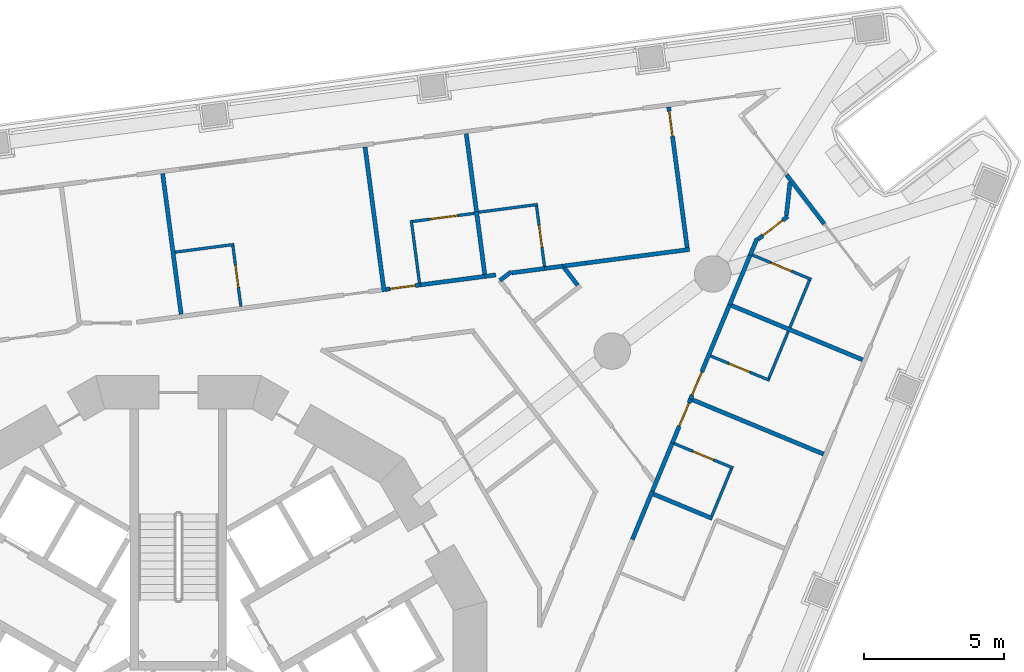
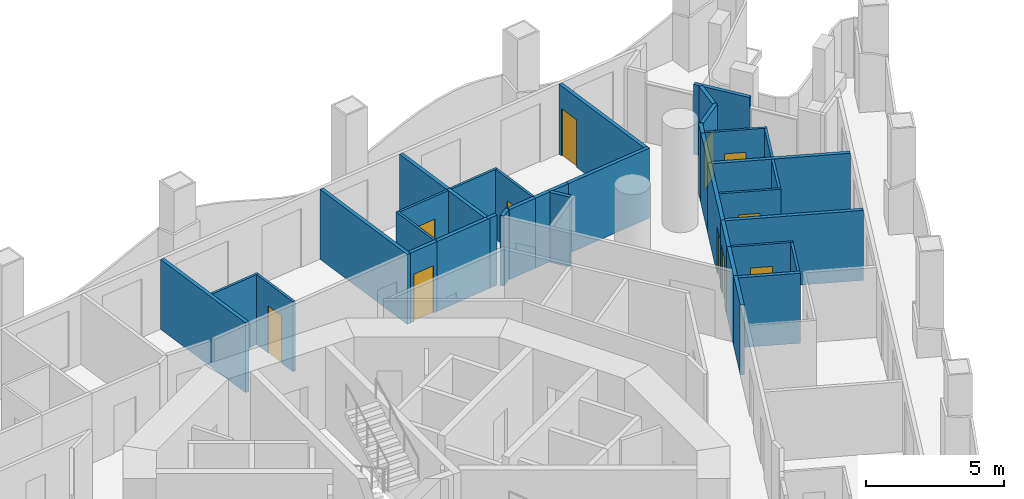
# One storey, part 10 of 19: 38 walls, 11 doors, 11 openings.
"""IFC4 building model written with IfcOpenShell, lengths in metres."""

import ifcopenshell
import ifcopenshell.guid

model = None  # the IFC model being written
_history = None  # IfcOwnerHistory: only IFC2X3 demands one
_inside = {}  # id of a spatial element -> (the spatial element, [elements in it])
_under = {}  # id of a project, library or spatial element -> (it, [spatial elements below it])
_declared = {}  # id of a project -> (the project, [libraries it declares])
_typed = {}  # id of a type object -> (the type object, [elements of that type])
_made_of = {}  # id of a material, layer set ... -> (it, [elements and type objects made of it])


def new_model(schema):
    """Start an empty IFC model of exactly this schema.

    Asked for "IFC4X3", IfcOpenShell would pick the latest addendum, in which some entities
    have other attributes; the version numbers below select the first issue.
    IFC2X3 requires an IfcOwnerHistory on every rooted entity: one is made here for all.
    """
    global model, _history
    if schema == "IFC4X3":
        model = ifcopenshell.file(schema_version=(4, 3, 0, 0))
    else:
        model = ifcopenshell.file(schema=schema)
    _inside.clear()
    _under.clear()
    _declared.clear()
    _typed.clear()
    _made_of.clear()
    _history = None
    if model.schema == "IFC2X3":
        org = make("IfcOrganization", Name="unknown")
        user = make(
            "IfcPersonAndOrganization",
            ThePerson=make("IfcPerson", FamilyName="unknown"),
            TheOrganization=org,
        )
        app = make(
            "IfcApplication",
            ApplicationDeveloper=org,
            Version="unknown",
            ApplicationFullName="unknown",
            ApplicationIdentifier="unknown",
        )
        _history = make(
            "IfcOwnerHistory",
            OwningUser=user,
            OwningApplication=app,
            ChangeAction="ADDED",
            CreationDate=0,
        )
    return model


def make(cls, **values):
    """One entity of the class cls with the attributes given. An attribute that is None is left unset."""
    return model.create_entity(
        cls, **{name: value for name, value in values.items() if value is not None}
    )


def rooted(cls, **values):
    """An entity with a GlobalId (a new one), such as an element, a storey or a relation."""
    return make(cls, GlobalId=ifcopenshell.guid.new(), OwnerHistory=_history, **values)


def si_unit(unit_type, name, prefix=None):
    """IfcSIUnit, for example si_unit("LENGTHUNIT", "METRE", prefix="MILLI")."""
    return make("IfcSIUnit", UnitType=unit_type, Prefix=prefix, Name=name)


def assignment(units):
    """IfcUnitAssignment: the units of a project."""
    return None if units is None else make("IfcUnitAssignment", Units=units)


def point(xyz):
    """IfcCartesianPoint."""
    return None if xyz is None else make("IfcCartesianPoint", Coordinates=xyz)


def direction(xyz):
    """IfcDirection."""
    return None if xyz is None else make("IfcDirection", DirectionRatios=xyz)


def frame(location, z_axis=None, x_axis=None):
    """IfcAxis2Placement3D, a coordinate frame: its origin and axes. An axis left out is left unset."""
    return make(
        "IfcAxis2Placement3D",
        Location=point(location),
        Axis=direction(z_axis),
        RefDirection=direction(x_axis),
    )


def frame_2d(location, x_axis=None):
    """IfcAxis2Placement2D, a coordinate frame in the plane: its origin and x axis."""
    return make(
        "IfcAxis2Placement2D", Location=point(location), RefDirection=direction(x_axis)
    )


def origin():
    """The frame at (0, 0, 0) with its axes left unset."""
    return frame((0.0, 0.0, 0.0))


def place(relative_to, where):
    """IfcLocalPlacement: puts the frame where relative to a parent placement (None: the world)."""
    return make(
        "IfcLocalPlacement", PlacementRelTo=relative_to, RelativePlacement=where
    )


def context(
    kind, dimensions, precision=None, world=None, true_north=None, identifier=None
):
    """IfcGeometricRepresentationContext, for example the 3D "Model" context."""
    return make(
        "IfcGeometricRepresentationContext",
        ContextIdentifier=identifier,
        ContextType=kind,
        CoordinateSpaceDimension=dimensions,
        Precision=precision,
        WorldCoordinateSystem=world,
        TrueNorth=true_north,
    )


def subcontext(parent, identifier, kind, view, scale=None):
    """IfcGeometricRepresentationSubContext, for example "Body" below "Model"."""
    return make(
        "IfcGeometricRepresentationSubContext",
        ContextIdentifier=identifier,
        ContextType=kind,
        ParentContext=parent,
        TargetScale=scale,
        TargetView=view,
    )


def project(units=None, contexts=None):
    """IfcProject with its units and contexts."""
    return rooted(
        "IfcProject",
        Name="project",
        RepresentationContexts=contexts,
        UnitsInContext=assignment(units),
    )


def spatial(cls, under=None, at=None, **own):
    """A site, building, storey or space (cls), placed at a placement, below another one or the project."""
    s = rooted(cls, ObjectPlacement=at, **own)
    if under is not None:
        _under.setdefault(under.id(), (under, []))[1].append(s)
    return s


def polyline(points):
    """IfcPolyline through the points."""
    return make("IfcPolyline", Points=[point(p) for p in points])


def profile(cls, at=None, kind="AREA", **sizes):
    """A parametric profile (cls). Its sizes go by their IFC names, for example OverallWidth=200.0."""
    return make(cls, ProfileType=kind, Position=at, **sizes)


def rectangle(**sizes):
    """IfcRectangleProfileDef."""
    return profile("IfcRectangleProfileDef", **sizes)


def outline(outer, holes=None, kind="AREA"):
    """IfcArbitraryClosedProfileDef: a profile drawn as a closed curve; with holes, ...WithVoids."""
    if holes is None:
        return make("IfcArbitraryClosedProfileDef", ProfileType=kind, OuterCurve=outer)
    return make(
        "IfcArbitraryProfileDefWithVoids",
        ProfileType=kind,
        OuterCurve=outer,
        InnerCurves=holes,
    )


def extrude(swept, where, along, depth):
    """IfcExtrudedAreaSolid: the profile swept, set in the frame where, extruded along a direction by depth."""
    return make(
        "IfcExtrudedAreaSolid",
        SweptArea=swept,
        Position=where,
        ExtrudedDirection=direction(along),
        Depth=depth,
    )


def shape(context_of_items, identifier, shape_type, items):
    """IfcShapeRepresentation: the items that make up one representation, for example the "Body"."""
    return make(
        "IfcShapeRepresentation",
        ContextOfItems=context_of_items,
        RepresentationIdentifier=identifier,
        RepresentationType=shape_type,
        Items=items,
    )


def material(Name=None, Category=None):
    """IfcMaterial."""
    return make("IfcMaterial", Name=Name, Category=Category)


def layer(
    of_material, thickness, ventilated=None, Name=None, Category=None, Priority=None
):
    """IfcMaterialLayer: one layer of a wall or slab, of a material (None: an air gap)."""
    return make(
        "IfcMaterialLayer",
        Material=of_material,
        LayerThickness=thickness,
        IsVentilated=ventilated,
        Name=Name,
        Category=Category,
        Priority=Priority,
    )


def layer_set(layers, Name=None):
    """IfcMaterialLayerSet."""
    return make("IfcMaterialLayerSet", MaterialLayers=layers, LayerSetName=Name)


def made_of(thing, what):
    """Note that an element or type object is made of a material, layer set ...; save() writes the relation."""
    if what is not None:
        _made_of.setdefault(what.id(), (what, []))[1].append(thing)
    return thing


def type_object(cls, material=None, **own):
    """A type object (cls), such as IfcWallType, which elements share."""
    return made_of(rooted(cls, **own), material)


def element(
    cls,
    number,
    at=None,
    inside=None,
    cuts=None,
    type_object=None,
    material=None,
    context=None,
    identifier="Body",
    shape_type=None,
    held_by="IfcProductDefinitionShape",
    body=None,
    shapes=None,
    **own,
):
    """One element of the class cls, such as IfcWall. Its Tag is "e" and its number.

    at: its placement. inside: the storey or other place that contains it. cuts: it is an
    opening in that element (IfcRelVoidsElement). A single representation is given by context,
    identifier, shape_type and body (its items); several are given by shapes. held_by: the class
    of the entity that holds the representations. save() writes the other relations.
    """
    e = rooted(cls, Tag="e%d" % number, ObjectPlacement=at, **own)
    if body is not None:
        shapes = [shape(context, identifier, shape_type, body)]
    if shapes is not None:
        e.Representation = make(held_by, Representations=shapes)
    if inside is not None:
        _inside.setdefault(inside.id(), (inside, []))[1].append(e)
    if cuts is not None:
        rooted(
            "IfcRelVoidsElement", RelatingBuildingElement=cuts, RelatedOpeningElement=e
        )
    if type_object is not None:
        _typed.setdefault(type_object.id(), (type_object, []))[1].append(e)
    return made_of(e, material)


def fill(opening, filler):
    """IfcRelFillsElement: the door or window that sits in an opening."""
    return rooted(
        "IfcRelFillsElement",
        RelatingOpeningElement=opening,
        RelatedBuildingElement=filler,
    )


def aggregate(whole, parts):
    """IfcRelAggregates: a whole, such as a stair, and the parts it consists of."""
    return rooted("IfcRelAggregates", RelatingObject=whole, RelatedObjects=parts)


def save(model, path):
    """Write the relations noted so far, then the file.

    IfcRelAggregates (storeys below a building ...), IfcRelContainedInSpatialStructure (elements
    in a storey), IfcRelDefinesByType, IfcRelAssociatesMaterial and IfcRelDeclares: one each for
    every whole, place, type object, material and project.
    """
    for whole, parts in _under.values():
        aggregate(whole, parts)
    for where, things in _inside.values():
        rooted(
            "IfcRelContainedInSpatialStructure",
            RelatedElements=things,
            RelatingStructure=where,
        )
    for kind, things in _typed.values():
        rooted("IfcRelDefinesByType", RelatedObjects=things, RelatingType=kind)
    for what, things in _made_of.values():
        rooted("IfcRelAssociatesMaterial", RelatedObjects=things, RelatingMaterial=what)
    for by, libraries in _declared.values():
        rooted("IfcRelDeclares", RelatingContext=by, RelatedDefinitions=libraries)
    model.write(path)


model = new_model("IFC4")

# Units and contexts
model_context = context("Model", 3, precision=1e-05, world=origin(), true_north=direction((0.0, 1.0)))
body_context = subcontext(model_context, "Body", "Model", "MODEL_VIEW")
ifc_project = project(units=[si_unit("LENGTHUNIT", "METRE"), si_unit("AREAUNIT", "SQUARE_METRE"), si_unit("VOLUMEUNIT", "CUBIC_METRE"), si_unit("PLANEANGLEUNIT", "RADIAN"), si_unit("MASSUNIT", "GRAM", prefix="KILO")], contexts=[model_context])

# Site, building, storey
site_placement = place(None, origin())
site = spatial("IfcSite", under=ifc_project, at=site_placement, CompositionType="ELEMENT")
building_placement = place(site_placement, origin())
building = spatial("IfcBuilding", under=site, at=building_placement, Name="Trine Commons Tower", CompositionType="ELEMENT")
storey_placement = place(building_placement, frame((0.0, 0.0, 79.199951171875)))
storey = spatial("IfcBuildingStorey", under=building, at=storey_placement, Name="L19", CompositionType="ELEMENT", Elevation=79.199951171875)

# Walls
ifc_material_1 = material(Name="Aluminium-framed insulated wall panel", Category="aluminium")
ifc_layer_1 = layer(ifc_material_1, 0.14990234375)
ifc_layer_set_1 = layer_set([ifc_layer_1], Name="Aluminium-framed insulated wall panel")
wall_type_1 = type_object("IfcWallType", Name="Glazed frame wall 150, EI 60", PredefinedType="SOLIDWALL", material=ifc_layer_set_1)
wall_1_placement = place(storey_placement, frame((101.71240234375, 80.673095703125, 0.0), z_axis=(0.0, 0.0, 1.0), x_axis=(0.608664482268, -0.793427720732, 0.0)))
element("IfcWall", 1, at=wall_1_placement, inside=storey, type_object=wall_type_1, Name="Glazed frame wall P2.3", PredefinedType="SOLIDWALL", context=body_context, shape_type="SweptSolid", body=[
    extrude(outline(polyline([(0.0, -0.074951171875), (2.199951171875, -0.074951171875), (2.199951171875, 0.074951171875), (0.0, 0.074951171875), (0.0, -0.074951171875)])), origin(), (0.0, 0.0, 1.0), 3.10009765625),
])
ifc_material_2 = material(Name="Gypsum plasterboard on steel stud", Category="steel")
ifc_layer_2 = layer(ifc_material_2, 0.14990234375)
ifc_layer_set_2 = layer_set([ifc_layer_2], Name="Gypsum plasterboard on steel stud")
wall_type_2 = type_object("IfcWallType", Name="Unit and corridor wall 150 mm, EI 60", PredefinedType="PARTITIONING", material=ifc_layer_set_2)
wall_2_placement = place(storey_placement, frame((79.439208984375, 80.71923828125, 0.0), z_axis=(0.0, 0.0, 1.0), x_axis=(0.130505643681, -0.991447566424, 0.0)))
element("IfcWall", 2, at=wall_2_placement, inside=storey, type_object=wall_type_2, Name="Partition 077", PredefinedType="PARTITIONING", context=body_context, shape_type="SweptSolid", body=[
    extrude(rectangle(XDim=5.06396484375, YDim=0.14990234375, at=frame_2d((2.531982421875, 0.0))), origin(), (0.0, 0.0, 1.0), 3.10009765625),
])
wall_3_placement = place(storey_placement, frame((86.664306640625, 81.67041015625, 0.0), z_axis=(0.0, 0.0, 1.0), x_axis=(0.130516294002, -0.991446164449, 0.0)))
element("IfcWall", 3, at=wall_3_placement, inside=storey, type_object=wall_type_2, Name="Partition 101", PredefinedType="PARTITIONING", context=body_context, shape_type="SweptSolid", body=[
    extrude(rectangle(XDim=5.21337890625, YDim=0.14990234375, at=frame_2d((2.606689453125, 0.0))), origin(), (0.0, 0.0, 1.0), 3.10009765625),
])

# Wall, opening, door
wall_4_placement = place(storey_placement, frame((87.405517578125, 76.584716796875, 0.0), z_axis=(0.0, 0.0, 1.0), x_axis=(0.99140610916, 0.130820207616, 0.0)))
wall_4 = element("IfcWall", 4, at=wall_4_placement, inside=storey, type_object=wall_type_2, Name="Partition 105", PredefinedType="PARTITIONING", context=body_context, shape_type="SweptSolid", body=[
    extrude(rectangle(XDim=1.22607421875, YDim=0.14990234375, at=frame_2d((0.613037109375, 0.0))), origin(), (0.0, 0.0, 1.0), 3.10009765625),
])
opening_1_placement = place(wall_4_placement, frame((0.160888671875, 0.0, 0.0)))
opening_1 = element("IfcOpeningElement", 5, at=opening_1_placement, cuts=wall_4, Name="Opening D-2C13", PredefinedType="OPENING", context=body_context, shape_type="SweptSolid", body=[
    extrude(rectangle(XDim=0.89990234375, YDim=2.10009765625, at=frame_2d((0.449951171875, 1.050048828125))), frame((0.0, 0.0849609375, 0.0), z_axis=(0.0, -1.0, 0.0), x_axis=(1.0, 0.0, 0.0)), (0.0, 0.0, 1.0), 0.169921875),
])
ifc_material_3 = material(Name="Timber fire door set", Category="wood")
door_type_1 = type_object("IfcDoorType", Name="Bedroom door 900 x 2100, FD30S", OperationType="NOTDEFINED", PredefinedType="DOOR", material=ifc_material_3)
door_1_placement = place(opening_1_placement, origin())
door_1 = element("IfcDoor", 6, at=door_1_placement, inside=storey, type_object=door_type_1, Name="Door D-2C13", OperationType="SINGLE_SWING_LEFT", OverallHeight=2.10009765625, OverallWidth=0.89990234375, PredefinedType="DOOR", context=body_context, shape_type="SweptSolid", body=[
    extrude(rectangle(XDim=0.89990234375, YDim=2.10009765625, at=frame_2d((0.449951171875, 1.050048828125))), frame((0.0, 0.02490234375, 0.0), z_axis=(0.0, -1.0, 0.0), x_axis=(1.0, 0.0, 0.0)), (0.0, 0.0, 1.0), 0.050048828125),
])
fill(opening_1, door_1)

# Walls
wall_5_placement = place(storey_placement, frame((88.613037109375, 76.743896484375, 0.0), z_axis=(0.0, 0.0, 1.0), x_axis=(0.991430030874, 0.13063879164, 0.0)))
element("IfcWall", 7, at=wall_5_placement, inside=storey, type_object=wall_type_2, Name="Partition 111", PredefinedType="PARTITIONING", context=body_context, shape_type="SweptSolid", body=[
    extrude(rectangle(XDim=2.43310546875, YDim=0.14990234375, at=frame_2d((1.216552734375, 0.0))), origin(), (0.0, 0.0, 1.0), 3.10009765625),
])
wall_6_placement = place(storey_placement, frame((90.276123046875, 82.146240234375, 0.0), z_axis=(0.0, 0.0, 1.0), x_axis=(0.130770959069, -0.991412606468, 0.0)))
element("IfcWall", 8, at=wall_6_placement, inside=storey, type_object=wall_type_2, Name="Partition 117", PredefinedType="PARTITIONING", context=body_context, shape_type="SweptSolid", body=[
    extrude(rectangle(XDim=2.893798828125, YDim=0.14990234375, at=frame_2d((1.44677734375, 0.0))), origin(), (0.0, 0.0, 1.0), 3.10009765625),
])
wall_7_placement = place(storey_placement, frame((90.6435546875, 79.361572265625, 0.0), z_axis=(0.0, 0.0, 1.0), x_axis=(0.130227687499, -0.991484114552, 0.0)))
element("IfcWall", 9, at=wall_7_placement, inside=storey, type_object=wall_type_2, Name="Partition 121", PredefinedType="PARTITIONING", context=body_context, shape_type="SweptSolid", body=[
    extrude(rectangle(XDim=2.25537109375, YDim=0.14990234375, at=frame_2d((1.127685546875, 0.0))), origin(), (0.0, 0.0, 1.0), 3.10009765625),
])
wall_8_placement = place(storey_placement, frame((90.935302734375, 77.050048828125, 0.0), z_axis=(0.0, 0.0, 1.0), x_axis=(0.991508240123, 0.130043876322, 0.0)))
element("IfcWall", 10, at=wall_8_placement, inside=storey, type_object=wall_type_2, Name="Partition 125", PredefinedType="PARTITIONING", context=body_context, shape_type="SweptSolid", body=[
    extrude(rectangle(XDim=0.39990234375, YDim=0.14990234375, at=frame_2d((0.199951171875, 0.0))), origin(), (0.0, 0.0, 1.0), 3.10009765625),
])
wall_9_placement = place(storey_placement, frame((91.47607421875, 76.903076171875, 0.0), z_axis=(0.0, 0.0, 1.0), x_axis=(0.794371473226, 0.607432269908, 0.0)))
element("IfcWall", 11, at=wall_9_placement, inside=storey, type_object=wall_type_2, Name="Partition 129", PredefinedType="PARTITIONING", context=body_context, shape_type="SweptSolid", body=[
    extrude(rectangle(XDim=0.508056640625, YDim=0.14990234375, at=frame_2d((0.25390625, 0.0))), origin(), (0.0, 0.0, 1.0), 3.10009765625),
])
wall_10_placement = place(storey_placement, frame((91.894287109375, 77.17578125, 0.0), z_axis=(0.0, 0.0, 1.0), x_axis=(0.991471614011, 0.130322824598, 0.0)))
element("IfcWall", 12, at=wall_10_placement, inside=storey, type_object=wall_type_2, Name="Partition 130", PredefinedType="PARTITIONING", context=body_context, shape_type="SweptSolid", body=[
    extrude(rectangle(XDim=1.198974609375, YDim=0.14990234375, at=frame_2d((0.599609375, 0.0))), origin(), (0.0, 0.0, 1.0), 3.10009765625),
])
wall_11_placement = place(storey_placement, frame((93.074951171875, 77.3310546875, 0.0), z_axis=(0.0, 0.0, 1.0), x_axis=(0.991453033969, 0.130464100171, 0.0)))
element("IfcWall", 13, at=wall_11_placement, inside=storey, type_object=wall_type_2, Name="Partition 142", PredefinedType="PARTITIONING", context=body_context, shape_type="SweptSolid", body=[
    extrude(rectangle(XDim=0.65869140625, YDim=0.14990234375, at=frame_2d((0.329345703125, 0.0))), origin(), (0.0, 0.0, 1.0), 3.10009765625),
])
wall_12_placement = place(storey_placement, frame((93.773681640625, 77.357421875, 0.0), z_axis=(0.0, 0.0, 1.0), x_axis=(0.609485891215, -0.792796914985, 0.0)))
element("IfcWall", 14, at=wall_12_placement, inside=storey, type_object=wall_type_2, Name="Partition 145", PredefinedType="PARTITIONING", context=body_context, shape_type="SweptSolid", body=[
    extrude(rectangle(XDim=0.787109375, YDim=0.14990234375, at=frame_2d((0.3935546875, 0.0))), origin(), (0.0, 0.0, 1.0), 3.10009765625),
])
wall_13_placement = place(storey_placement, frame((93.72802734375, 77.4169921875, 0.0), z_axis=(0.0, 0.0, 1.0), x_axis=(0.991356991582, 0.131191902348, 0.0)))
element("IfcWall", 15, at=wall_13_placement, inside=storey, type_object=wall_type_2, Name="Partition 146", PredefinedType="PARTITIONING", context=body_context, shape_type="SweptSolid", body=[
    extrude(rectangle(XDim=0.83935546875, YDim=0.14990234375, at=frame_2d((0.419677734375, 0.0))), origin(), (0.0, 0.0, 1.0), 3.10009765625),
])
wall_14_placement = place(storey_placement, frame((94.56005859375, 77.527099609375, 0.0), z_axis=(0.0, 0.0, 1.0), x_axis=(0.991468816947, 0.130344102367, 0.0)))
element("IfcWall", 16, at=wall_14_placement, inside=storey, type_object=wall_type_2, Name="Partition 148", PredefinedType="PARTITIONING", context=body_context, shape_type="SweptSolid", body=[
    extrude(rectangle(XDim=3.718017578125, YDim=0.14990234375, at=frame_2d((1.85888671875, 0.0))), origin(), (0.0, 0.0, 1.0), 3.10009765625),
])
wall_15_placement = place(storey_placement, frame((96.2060546875, 67.658935546875, 0.0), z_axis=(0.0, 0.0, 1.0), x_axis=(0.382317087309, 0.924031192521, 0.0)))
element("IfcWall", 17, at=wall_15_placement, inside=storey, type_object=wall_type_2, Name="Partition 150", PredefinedType="PARTITIONING", context=body_context, shape_type="SweptSolid", body=[
    extrude(rectangle(XDim=1.864013671875, YDim=0.14990234375, at=frame_2d((0.93212890625, 0.0))), origin(), (0.0, 0.0, 1.0), 3.10009765625),
])
wall_16_placement = place(storey_placement, frame((96.886962890625, 69.303955078125, 0.0), z_axis=(0.0, 0.0, 1.0), x_axis=(0.382516455335, 0.923948678985, 0.0)))
element("IfcWall", 18, at=wall_16_placement, inside=storey, type_object=wall_type_2, Name="Partition 151", PredefinedType="PARTITIONING", context=body_context, shape_type="SweptSolid", body=[
    extrude(rectangle(XDim=2.0078125, YDim=0.14990234375, at=frame_2d((1.00390625, 0.0))), origin(), (0.0, 0.0, 1.0), 3.10009765625),
])
wall_17_placement = place(storey_placement, frame((96.957275390625, 69.279296875, 0.0), z_axis=(0.0, 0.0, 1.0), x_axis=(0.923764335003, -0.382961425442, 0.0)))
element("IfcWall", 19, at=wall_17_placement, inside=storey, type_object=wall_type_2, Name="Partition 152", PredefinedType="PARTITIONING", context=body_context, shape_type="SweptSolid", body=[
    extrude(rectangle(XDim=2.275146484375, YDim=0.14990234375, at=frame_2d((1.1376953125, 0.0))), origin(), (0.0, 0.0, 1.0), 3.10009765625),
])

# Wall, opening, door
wall_18_placement = place(storey_placement, frame((97.501220703125, 83.097412109375, 0.0), z_axis=(0.0, 0.0, 1.0), x_axis=(0.130499406053, -0.991448387471, 0.0)))
wall_18 = element("IfcWall", 20, at=wall_18_placement, inside=storey, type_object=wall_type_2, Name="Partition 153", PredefinedType="PARTITIONING", context=body_context, shape_type="SweptSolid", body=[
    extrude(rectangle(XDim=5.064208984375, YDim=0.14990234375, at=frame_2d((2.5322265625, 0.0))), origin(), (0.0, 0.0, 1.0), 3.10009765625),
])
opening_2_placement = place(wall_18_placement, frame((0.14990234375, 0.0, 0.0)))
opening_2 = element("IfcOpeningElement", 21, at=opening_2_placement, cuts=wall_18, Name="Opening D-2C14", PredefinedType="OPENING", context=body_context, shape_type="SweptSolid", body=[
    extrude(rectangle(XDim=0.89990234375, YDim=2.10009765625, at=frame_2d((0.449951171875, 1.050048828125))), frame((0.0, 0.0849609375, 0.0), z_axis=(0.0, -1.0, 0.0), x_axis=(1.0, 0.0, 0.0)), (0.0, 0.0, 1.0), 0.169921875),
])
door_2_placement = place(opening_2_placement, frame((0.89990234375, 0.0, 0.0), z_axis=(0.0, 0.0, 1.0), x_axis=(-1.0, 0.0, 0.0)))
door_2 = element("IfcDoor", 22, at=door_2_placement, inside=storey, type_object=door_type_1, Name="Door D-2C14", OperationType="SINGLE_SWING_RIGHT", OverallHeight=2.10009765625, OverallWidth=0.89990234375, PredefinedType="DOOR", context=body_context, shape_type="SweptSolid", body=[
    extrude(rectangle(XDim=0.89990234375, YDim=2.10009765625, at=frame_2d((0.449951171875, 1.050048828125))), frame((0.0, 0.02490234375, 0.0), z_axis=(0.0, -1.0, 0.0), x_axis=(1.0, 0.0, 0.0)), (0.0, 0.0, 1.0), 0.050048828125),
])
fill(opening_2, door_2)

wall_19_placement = place(storey_placement, frame((97.633056640625, 71.10595703125, 0.0), z_axis=(0.0, 0.0, 1.0), x_axis=(0.382868343203, 0.923802918253, 0.0)))
wall_19 = element("IfcWall", 23, at=wall_19_placement, inside=storey, type_object=wall_type_2, Name="Partition 154", PredefinedType="PARTITIONING", context=body_context, shape_type="SweptSolid", body=[
    extrude(rectangle(XDim=1.697509765625, YDim=0.14990234375, at=frame_2d((0.8486328125, 0.0))), origin(), (0.0, 0.0, 1.0), 3.10009765625),
])
opening_3_placement = place(wall_19_placement, frame((0.647216796875, 0.0, 0.0)))
opening_3 = element("IfcOpeningElement", 24, at=opening_3_placement, cuts=wall_19, Name="Opening D-2C17", PredefinedType="OPENING", context=body_context, shape_type="SweptSolid", body=[
    extrude(rectangle(XDim=0.89990234375, YDim=2.10009765625, at=frame_2d((0.449951171875, 1.050048828125))), frame((0.0, 0.0849609375, 0.0), z_axis=(0.0, -1.0, 0.0), x_axis=(1.0, 0.0, 0.0)), (0.0, 0.0, 1.0), 0.169921875),
])
door_3_placement = place(opening_3_placement, frame((0.89990234375, 0.0, 0.0), z_axis=(0.0, 0.0, 1.0), x_axis=(-1.0, 0.0, 0.0)))
door_3 = element("IfcDoor", 25, at=door_3_placement, inside=storey, type_object=door_type_1, Name="Door D-2C17", OperationType="SINGLE_SWING_LEFT", OverallHeight=2.10009765625, OverallWidth=0.89990234375, PredefinedType="DOOR", context=body_context, shape_type="SweptSolid", body=[
    extrude(rectangle(XDim=0.89990234375, YDim=2.10009765625, at=frame_2d((0.449951171875, 1.050048828125))), frame((0.0, 0.02490234375, 0.0), z_axis=(0.0, -1.0, 0.0), x_axis=(1.0, 0.0, 0.0)), (0.0, 0.0, 1.0), 0.050048828125),
])
fill(opening_3, door_3)

wall_20_placement = place(storey_placement, frame((98.282958984375, 72.674072265625, 0.0), z_axis=(0.0, 0.0, 1.0), x_axis=(0.382639824681, 0.9238975942, 0.0)))
wall_20 = element("IfcWall", 26, at=wall_20_placement, inside=storey, type_object=wall_type_2, Name="Partition 157", PredefinedType="PARTITIONING", context=body_context, shape_type="SweptSolid", body=[
    extrude(rectangle(XDim=3.643310546875, YDim=0.14990234375, at=frame_2d((1.82177734375, 0.0))), origin(), (0.0, 0.0, 1.0), 3.10009765625),
])
opening_4_placement = place(wall_20_placement, frame((0.14990234375, 0.0, 0.0)))
opening_4 = element("IfcOpeningElement", 27, at=opening_4_placement, cuts=wall_20, Name="Opening D-2C16", PredefinedType="OPENING", context=body_context, shape_type="SweptSolid", body=[
    extrude(rectangle(XDim=0.89990234375, YDim=2.10009765625, at=frame_2d((0.449951171875, 1.050048828125))), frame((0.0, 0.0849609375, 0.0), z_axis=(0.0, -1.0, 0.0), x_axis=(1.0, 0.0, 0.0)), (0.0, 0.0, 1.0), 0.169921875),
])
door_4_placement = place(opening_4_placement, frame((0.89990234375, 0.0, 0.0), z_axis=(0.0, 0.0, 1.0), x_axis=(-1.0, 0.0, 0.0)))
door_4 = element("IfcDoor", 28, at=door_4_placement, inside=storey, type_object=door_type_1, Name="Door D-2C16", OperationType="SINGLE_SWING_RIGHT", OverallHeight=2.10009765625, OverallWidth=0.89990234375, PredefinedType="DOOR", context=body_context, shape_type="SweptSolid", body=[
    extrude(rectangle(XDim=0.89990234375, YDim=2.10009765625, at=frame_2d((0.449951171875, 1.050048828125))), frame((0.0, 0.02490234375, 0.0), z_axis=(0.0, -1.0, 0.0), x_axis=(1.0, 0.0, 0.0)), (0.0, 0.0, 1.0), 0.050048828125),
])
fill(opening_4, door_4)

# Walls
wall_21_placement = place(storey_placement, frame((98.352294921875, 72.645263671875, 0.0), z_axis=(0.0, 0.0, 1.0), x_axis=(0.923879340067, -0.382683896966, 0.0)))
element("IfcWall", 29, at=wall_21_placement, inside=storey, type_object=wall_type_2, Name="Partition 158", PredefinedType="PARTITIONING", context=body_context, shape_type="SweptSolid", body=[
    extrude(rectangle(XDim=5.064208984375, YDim=0.14990234375, at=frame_2d((2.5322265625, 0.0))), origin(), (0.0, 0.0, 1.0), 3.10009765625),
])
wall_22_placement = place(storey_placement, frame((99.677001953125, 76.0400390625, 0.0), z_axis=(0.0, 0.0, 1.0), x_axis=(0.382690071798, 0.92387678234, 0.0)))
element("IfcWall", 30, at=wall_22_placement, inside=storey, type_object=wall_type_2, Name="Partition 162", PredefinedType="PARTITIONING", context=body_context, shape_type="SweptSolid", body=[
    extrude(rectangle(XDim=1.95458984375, YDim=0.14990234375, at=frame_2d((0.977294921875, 0.0))), origin(), (0.0, 0.0, 1.0), 3.10009765625),
])
wall_23_placement = place(storey_placement, frame((99.746337890625, 76.01123046875, 0.0), z_axis=(0.0, 0.0, 1.0), x_axis=(0.923879340067, -0.382683896966, 0.0)))
element("IfcWall", 31, at=wall_23_placement, inside=storey, type_object=wall_type_2, Name="Partition 163", PredefinedType="PARTITIONING", context=body_context, shape_type="SweptSolid", body=[
    extrude(rectangle(XDim=5.064208984375, YDim=0.14990234375, at=frame_2d((2.5322265625, 0.0))), origin(), (0.0, 0.0, 1.0), 3.10009765625),
])
wall_24_placement = place(storey_placement, frame((100.40283203125, 77.791748046875, 0.0), z_axis=(0.0, 0.0, 1.0), x_axis=(0.382913749116, 0.923784098552, 0.0)))
element("IfcWall", 32, at=wall_24_placement, inside=storey, type_object=wall_type_2, Name="Partition 164", PredefinedType="PARTITIONING", context=body_context, shape_type="SweptSolid", body=[
    extrude(rectangle(XDim=0.65234375, YDim=0.14990234375, at=frame_2d((0.326171875, 0.0))), origin(), (0.0, 0.0, 1.0), 3.10009765625),
])

# Wall, opening, door
wall_25_placement = place(storey_placement, frame((100.68359375, 78.37060546875, 0.0), z_axis=(0.0, 0.0, 1.0), x_axis=(0.793207864218, 0.608950970229, 0.0)))
wall_25 = element("IfcWall", 33, at=wall_25_placement, inside=storey, type_object=wall_type_2, Name="Partition 166", PredefinedType="PARTITIONING", context=body_context, shape_type="SweptSolid", body=[
    extrude(rectangle(XDim=1.3515625, YDim=0.14990234375, at=frame_2d((0.67578125, 0.0))), origin(), (0.0, 0.0, 1.0), 3.10009765625),
])
opening_5_placement = place(wall_25_placement, frame((0.22509765625, 0.0, 0.0)))
opening_5 = element("IfcOpeningElement", 34, at=opening_5_placement, cuts=wall_25, Name="Opening D-2C15", PredefinedType="OPENING", context=body_context, shape_type="SweptSolid", body=[
    extrude(rectangle(XDim=0.89990234375, YDim=2.10009765625, at=frame_2d((0.449951171875, 1.050048828125))), frame((0.0, 0.0849609375, 0.0), z_axis=(0.0, -1.0, 0.0), x_axis=(1.0, 0.0, 0.0)), (0.0, 0.0, 1.0), 0.169921875),
])
door_5_placement = place(opening_5_placement, frame((0.89990234375, 0.0, 0.0), z_axis=(0.0, 0.0, 1.0), x_axis=(-1.0, 0.0, 0.0)))
door_5 = element("IfcDoor", 35, at=door_5_placement, inside=storey, type_object=door_type_1, Name="Door D-2C15", OperationType="SINGLE_SWING_RIGHT", OverallHeight=2.10009765625, OverallWidth=0.89990234375, PredefinedType="DOOR", context=body_context, shape_type="SweptSolid", body=[
    extrude(rectangle(XDim=0.89990234375, YDim=2.10009765625, at=frame_2d((0.449951171875, 1.050048828125))), frame((0.0, 0.02490234375, 0.0), z_axis=(0.0, -1.0, 0.0), x_axis=(1.0, 0.0, 0.0)), (0.0, 0.0, 1.0), 0.050048828125),
])
fill(opening_5, door_5)

# Walls
wall_26_placement = place(storey_placement, frame((101.7041015625, 79.22265625, 0.0), z_axis=(0.0, 0.0, 1.0), x_axis=(0.107345802041, 0.994221745278, 0.0)))
element("IfcWall", 36, at=wall_26_placement, inside=storey, type_object=wall_type_2, Name="Partition 168", PredefinedType="PARTITIONING", context=body_context, shape_type="SweptSolid", body=[
    extrude(rectangle(XDim=1.198486328125, YDim=0.14990234375, at=frame_2d((0.59912109375, 0.0))), origin(), (0.0, 0.0, 1.0), 3.10009765625),
])
ifc_layer_3 = layer(ifc_material_2, 0.10009765625)
ifc_layer_set_3 = layer_set([ifc_layer_3], Name="Gypsum plasterboard on steel stud")
wall_type_3 = type_object("IfcWallType", Name="Unit partition 100 mm, no rating", PredefinedType="PARTITIONING", material=ifc_layer_set_3)
wall_27_placement = place(storey_placement, frame((79.884521484375, 77.914794921875, 0.0), z_axis=(0.0, 0.0, 1.0), x_axis=(0.991484002745, 0.130228538733, 0.0)))
element("IfcWall", 37, at=wall_27_placement, inside=storey, type_object=wall_type_3, Name="Partition 078", PredefinedType="PARTITIONING", context=body_context, shape_type="SweptSolid", body=[
    extrude(rectangle(XDim=2.1240234375, YDim=0.10009765625, at=frame_2d((1.06201171875, 0.0))), origin(), (0.0, 0.0, 1.0), 3.10009765625),
])

# Wall, opening, door
wall_28_placement = place(storey_placement, frame((81.947509765625, 78.135498046875, 0.0), z_axis=(0.0, 0.0, 1.0), x_axis=(0.130898813875, -0.991395733563, 0.0)))
wall_28 = element("IfcWall", 38, at=wall_28_placement, inside=storey, type_object=wall_type_3, Name="Partition 082", PredefinedType="PARTITIONING", context=body_context, shape_type="SweptSolid", body=[
    extrude(rectangle(XDim=2.1748046875, YDim=0.10009765625, at=frame_2d((1.08740234375, 0.0))), origin(), (0.0, 0.0, 1.0), 3.10009765625),
])
opening_6_placement = place(wall_28_placement, frame((0.6875, 0.0, 0.0)))
opening_6 = element("IfcOpeningElement", 39, at=opening_6_placement, cuts=wall_28, Name="Opening D-2C45", PredefinedType="OPENING", context=body_context, shape_type="SweptSolid", body=[
    extrude(rectangle(XDim=0.800048828125, YDim=2.10009765625, at=frame_2d((0.39990234375, 1.050048828125))), frame((0.0, 0.06005859375, 0.0), z_axis=(0.0, -1.0, 0.0), x_axis=(1.0, 0.0, 0.0)), (0.0, 0.0, 1.0), 0.1201171875),
])
ifc_material_4 = material(Name="Painted timber", Category="wood")
door_type_2 = type_object("IfcDoorType", Name="Internal door 800 x 2100, NOT RATED", OperationType="NOTDEFINED", PredefinedType="DOOR", material=ifc_material_4)
door_6_placement = place(opening_6_placement, origin())
door_6 = element("IfcDoor", 40, at=door_6_placement, inside=storey, type_object=door_type_2, Name="Door D-2C45", OperationType="SINGLE_SWING_LEFT", OverallHeight=2.10009765625, OverallWidth=0.800048828125, PredefinedType="DOOR", context=body_context, shape_type="SweptSolid", body=[
    extrude(rectangle(XDim=0.800048828125, YDim=2.10009765625, at=frame_2d((0.39990234375, 1.050048828125))), frame((0.0, 0.02490234375, 0.0), z_axis=(0.0, -1.0, 0.0), x_axis=(1.0, 0.0, 0.0)), (0.0, 0.0, 1.0), 0.050048828125),
])
fill(opening_6, door_6)

# Wall
wall_29_placement = place(storey_placement, frame((88.3134765625, 79.0546875, 0.0), z_axis=(0.0, 0.0, 1.0), x_axis=(0.130207921937, -0.991486710483, 0.0)))
element("IfcWall", 41, at=wall_29_placement, inside=storey, type_object=wall_type_3, Name="Partition 108", PredefinedType="PARTITIONING", context=body_context, shape_type="SweptSolid", body=[
    extrude(rectangle(XDim=2.33056640625, YDim=0.10009765625, at=frame_2d((1.165283203125, 0.0))), origin(), (0.0, 0.0, 1.0), 3.10009765625),
])

# Wall, opening, door
wall_30_placement = place(storey_placement, frame((88.36962890625, 79.011474609375, 0.0), z_axis=(0.0, 0.0, 1.0), x_axis=(0.991425141763, 0.130675890199, 0.0)))
wall_30 = element("IfcWall", 42, at=wall_30_placement, inside=storey, type_object=wall_type_3, Name="Partition 109", PredefinedType="PARTITIONING", context=body_context, shape_type="SweptSolid", body=[
    extrude(rectangle(XDim=2.22509765625, YDim=0.10009765625, at=frame_2d((1.112548828125, 0.0))), origin(), (0.0, 0.0, 1.0), 3.10009765625),
])
opening_7_placement = place(wall_30_placement, frame((0.612548828125, 0.0, 0.0)))
opening_7 = element("IfcOpeningElement", 43, at=opening_7_placement, cuts=wall_30, Name="Opening D-2C46", PredefinedType="OPENING", context=body_context, shape_type="SweptSolid", body=[
    extrude(rectangle(XDim=1.0, YDim=2.10009765625, at=frame_2d((0.5, 1.050048828125))), frame((0.0, 0.06005859375, 0.0), z_axis=(0.0, -1.0, 0.0), x_axis=(1.0, 0.0, 0.0)), (0.0, 0.0, 1.0), 0.1201171875),
])
door_type_3 = type_object("IfcDoorType", Name="Internal door 1000 x 2100, NOT RATED", OperationType="NOTDEFINED", PredefinedType="DOOR", material=ifc_material_4)
door_7_placement = place(opening_7_placement, origin())
door_7 = element("IfcDoor", 44, at=door_7_placement, inside=storey, type_object=door_type_3, Name="Door D-2C46", OperationType="SINGLE_SWING_LEFT", OverallHeight=2.10009765625, OverallWidth=1.0, PredefinedType="DOOR", context=body_context, shape_type="SweptSolid", body=[
    extrude(rectangle(XDim=1.0, YDim=2.10009765625, at=frame_2d((0.5, 1.050048828125))), frame((0.0, 0.02490234375, 0.0), z_axis=(0.0, -1.0, 0.0), x_axis=(1.0, 0.0, 0.0)), (0.0, 0.0, 1.0), 0.050048828125),
])
fill(opening_7, door_7)

# Wall
wall_31_placement = place(storey_placement, frame((90.721435546875, 79.3408203125, 0.0), z_axis=(0.0, 0.0, 1.0), x_axis=(0.991434344141, 0.130606053677, 0.0)))
element("IfcWall", 45, at=wall_31_placement, inside=storey, type_object=wall_type_3, Name="Partition 120", PredefinedType="PARTITIONING", context=body_context, shape_type="SweptSolid", body=[
    extrude(rectangle(XDim=2.12548828125, YDim=0.10009765625, at=frame_2d((1.062744140625, 0.0))), origin(), (0.0, 0.0, 1.0), 3.10009765625),
])

# Wall, opening, door
wall_32_placement = place(storey_placement, frame((92.785400390625, 79.5625, 0.0), z_axis=(0.0, 0.0, 1.0), x_axis=(0.130457416757, -0.991453913409, 0.0)))
wall_32 = element("IfcWall", 46, at=wall_32_placement, inside=storey, type_object=wall_type_3, Name="Partition 137", PredefinedType="PARTITIONING", context=body_context, shape_type="SweptSolid", body=[
    extrude(rectangle(XDim=2.174560546875, YDim=0.10009765625, at=frame_2d((1.08740234375, 0.0))), origin(), (0.0, 0.0, 1.0), 3.10009765625),
])
opening_8_placement = place(wall_32_placement, frame((0.687255859375, 0.0, 0.0)))
opening_8 = element("IfcOpeningElement", 47, at=opening_8_placement, cuts=wall_32, Name="Opening D-2C47", PredefinedType="OPENING", context=body_context, shape_type="SweptSolid", body=[
    extrude(rectangle(XDim=0.800048828125, YDim=2.10009765625, at=frame_2d((0.39990234375, 1.050048828125))), frame((0.0, 0.06005859375, 0.0), z_axis=(0.0, -1.0, 0.0), x_axis=(1.0, 0.0, 0.0)), (0.0, 0.0, 1.0), 0.1201171875),
])
door_8_placement = place(opening_8_placement, origin())
door_8 = element("IfcDoor", 48, at=door_8_placement, inside=storey, type_object=door_type_2, Name="Door D-2C47", OperationType="SINGLE_SWING_LEFT", OverallHeight=2.10009765625, OverallWidth=0.800048828125, PredefinedType="DOOR", context=body_context, shape_type="SweptSolid", body=[
    extrude(rectangle(XDim=0.800048828125, YDim=2.10009765625, at=frame_2d((0.39990234375, 1.050048828125))), frame((0.0, 0.02490234375, 0.0), z_axis=(0.0, -1.0, 0.0), x_axis=(1.0, 0.0, 0.0)), (0.0, 0.0, 1.0), 0.050048828125),
])
fill(opening_8, door_8)

wall_33_placement = place(storey_placement, frame((97.704345703125, 71.080322265625, 0.0), z_axis=(0.0, 0.0, 1.0), x_axis=(0.923916126796, -0.382595073996, 0.0)))
wall_33 = element("IfcWall", 49, at=wall_33_placement, inside=storey, type_object=wall_type_3, Name="Partition 155", PredefinedType="PARTITIONING", context=body_context, shape_type="SweptSolid", body=[
    extrude(rectangle(XDim=2.27490234375, YDim=0.10009765625, at=frame_2d((1.137451171875, 0.0))), origin(), (0.0, 0.0, 1.0), 3.10009765625),
])
opening_9_placement = place(wall_33_placement, frame((0.71240234375, 0.0, 0.0)))
opening_9 = element("IfcOpeningElement", 50, at=opening_9_placement, cuts=wall_33, Name="Opening D-2C50", PredefinedType="OPENING", context=body_context, shape_type="SweptSolid", body=[
    extrude(rectangle(XDim=0.800048828125, YDim=2.10009765625, at=frame_2d((0.39990234375, 1.050048828125))), frame((0.0, 0.06005859375, 0.0), z_axis=(0.0, -1.0, 0.0), x_axis=(1.0, 0.0, 0.0)), (0.0, 0.0, 1.0), 0.1201171875),
])
door_9_placement = place(opening_9_placement, origin())
door_9 = element("IfcDoor", 51, at=door_9_placement, inside=storey, type_object=door_type_2, Name="Door D-2C50", OperationType="SINGLE_SWING_LEFT", OverallHeight=2.10009765625, OverallWidth=0.800048828125, PredefinedType="DOOR", context=body_context, shape_type="SweptSolid", body=[
    extrude(rectangle(XDim=0.800048828125, YDim=2.10009765625, at=frame_2d((0.39990234375, 1.050048828125))), frame((0.0, 0.02490234375, 0.0), z_axis=(0.0, -1.0, 0.0), x_axis=(1.0, 0.0, 0.0)), (0.0, 0.0, 1.0), 0.050048828125),
])
fill(opening_9, door_9)

wall_34_placement = place(storey_placement, frame((99.000244140625, 74.210205078125, 0.0), z_axis=(0.0, 0.0, 1.0), x_axis=(0.92378006954, -0.382923469012, 0.0)))
wall_34 = element("IfcWall", 52, at=wall_34_placement, inside=storey, type_object=wall_type_3, Name="Partition 159", PredefinedType="PARTITIONING", context=body_context, shape_type="SweptSolid", body=[
    extrude(rectangle(XDim=2.275390625, YDim=0.10009765625, at=frame_2d((1.1376953125, 0.0))), origin(), (0.0, 0.0, 1.0), 3.10009765625),
])
opening_10_placement = place(wall_34_placement, frame((0.712646484375, 0.0, 0.0)))
opening_10 = element("IfcOpeningElement", 53, at=opening_10_placement, cuts=wall_34, Name="Opening D-2C49", PredefinedType="OPENING", context=body_context, shape_type="SweptSolid", body=[
    extrude(rectangle(XDim=0.800048828125, YDim=2.10009765625, at=frame_2d((0.39990234375, 1.050048828125))), frame((0.0, 0.06005859375, 0.0), z_axis=(0.0, -1.0, 0.0), x_axis=(1.0, 0.0, 0.0)), (0.0, 0.0, 1.0), 0.1201171875),
])
door_10_placement = place(opening_10_placement, frame((0.800048828125, 0.0, 0.0), z_axis=(0.0, 0.0, 1.0), x_axis=(-1.0, 0.0, 0.0)))
door_10 = element("IfcDoor", 54, at=door_10_placement, inside=storey, type_object=door_type_2, Name="Door D-2C49", OperationType="SINGLE_SWING_RIGHT", OverallHeight=2.10009765625, OverallWidth=0.800048828125, PredefinedType="DOOR", context=body_context, shape_type="SweptSolid", body=[
    extrude(rectangle(XDim=0.800048828125, YDim=2.10009765625, at=frame_2d((0.39990234375, 1.050048828125))), frame((0.0, 0.02490234375, 0.0), z_axis=(0.0, -1.0, 0.0), x_axis=(1.0, 0.0, 0.0)), (0.0, 0.0, 1.0), 0.050048828125),
])
fill(opening_10, door_10)

# Wall
wall_35_placement = place(storey_placement, frame((99.041748046875, 68.496337890625, 0.0), z_axis=(0.0, 0.0, 1.0), x_axis=(0.382981625731, 0.923755960388, 0.0)))
element("IfcWall", 55, at=wall_35_placement, inside=storey, type_object=wall_type_3, Name="Partition 160", PredefinedType="PARTITIONING", context=body_context, shape_type="SweptSolid", body=[
    extrude(rectangle(XDim=1.82568359375, YDim=0.10009765625, at=frame_2d((0.912841796875, 0.0))), origin(), (0.0, 0.0, 1.0), 3.10009765625),
])

# Wall, opening, door
wall_36_placement = place(storey_placement, frame((100.4921875, 77.813232421875, 0.0), z_axis=(0.0, 0.0, 1.0), x_axis=(0.92378006954, -0.382923469012, 0.0)))
wall_36 = element("IfcWall", 56, at=wall_36_placement, inside=storey, type_object=wall_type_3, Name="Partition 165", PredefinedType="PARTITIONING", context=body_context, shape_type="SweptSolid", body=[
    extrude(rectangle(XDim=2.275390625, YDim=0.10009765625, at=frame_2d((1.1376953125, 0.0))), origin(), (0.0, 0.0, 1.0), 3.10009765625),
])
opening_11_placement = place(wall_36_placement, frame((0.712646484375, 0.0, 0.0)))
opening_11 = element("IfcOpeningElement", 57, at=opening_11_placement, cuts=wall_36, Name="Opening D-2C48", PredefinedType="OPENING", context=body_context, shape_type="SweptSolid", body=[
    extrude(rectangle(XDim=0.800048828125, YDim=2.10009765625, at=frame_2d((0.39990234375, 1.050048828125))), frame((0.0, 0.06005859375, 0.0), z_axis=(0.0, -1.0, 0.0), x_axis=(1.0, 0.0, 0.0)), (0.0, 0.0, 1.0), 0.1201171875),
])
door_11_placement = place(opening_11_placement, origin())
door_11 = element("IfcDoor", 58, at=door_11_placement, inside=storey, type_object=door_type_2, Name="Door D-2C48", OperationType="SINGLE_SWING_LEFT", OverallHeight=2.10009765625, OverallWidth=0.800048828125, PredefinedType="DOOR", context=body_context, shape_type="SweptSolid", body=[
    extrude(rectangle(XDim=0.800048828125, YDim=2.10009765625, at=frame_2d((0.39990234375, 1.050048828125))), frame((0.0, 0.02490234375, 0.0), z_axis=(0.0, -1.0, 0.0), x_axis=(1.0, 0.0, 0.0)), (0.0, 0.0, 1.0), 0.050048828125),
])
fill(opening_11, door_11)

# Walls
wall_37_placement = place(storey_placement, frame((101.0751953125, 73.404296875, 0.0), z_axis=(0.0, 0.0, 1.0), x_axis=(0.382410862233, 0.923992387656, 0.0)))
element("IfcWall", 59, at=wall_37_placement, inside=storey, type_object=wall_type_3, Name="Partition 167", PredefinedType="PARTITIONING", context=body_context, shape_type="SweptSolid", body=[
    extrude(rectangle(XDim=1.8251953125, YDim=0.10009765625, at=frame_2d((0.91259765625, 0.0))), origin(), (0.0, 0.0, 1.0), 3.10009765625),
])
wall_38_placement = place(storey_placement, frame((101.830810546875, 75.229248046875, 0.0), z_axis=(0.0, 0.0, 1.0), x_axis=(0.382599996846, 0.923914088221, 0.0)))
element("IfcWall", 60, at=wall_38_placement, inside=storey, type_object=wall_type_3, Name="Partition 169", PredefinedType="PARTITIONING", context=body_context, shape_type="SweptSolid", body=[
    extrude(rectangle(XDim=1.824462890625, YDim=0.10009765625, at=frame_2d((0.912109375, 0.0))), origin(), (0.0, 0.0, 1.0), 3.10009765625),
])

save(model, "model.ifc")
